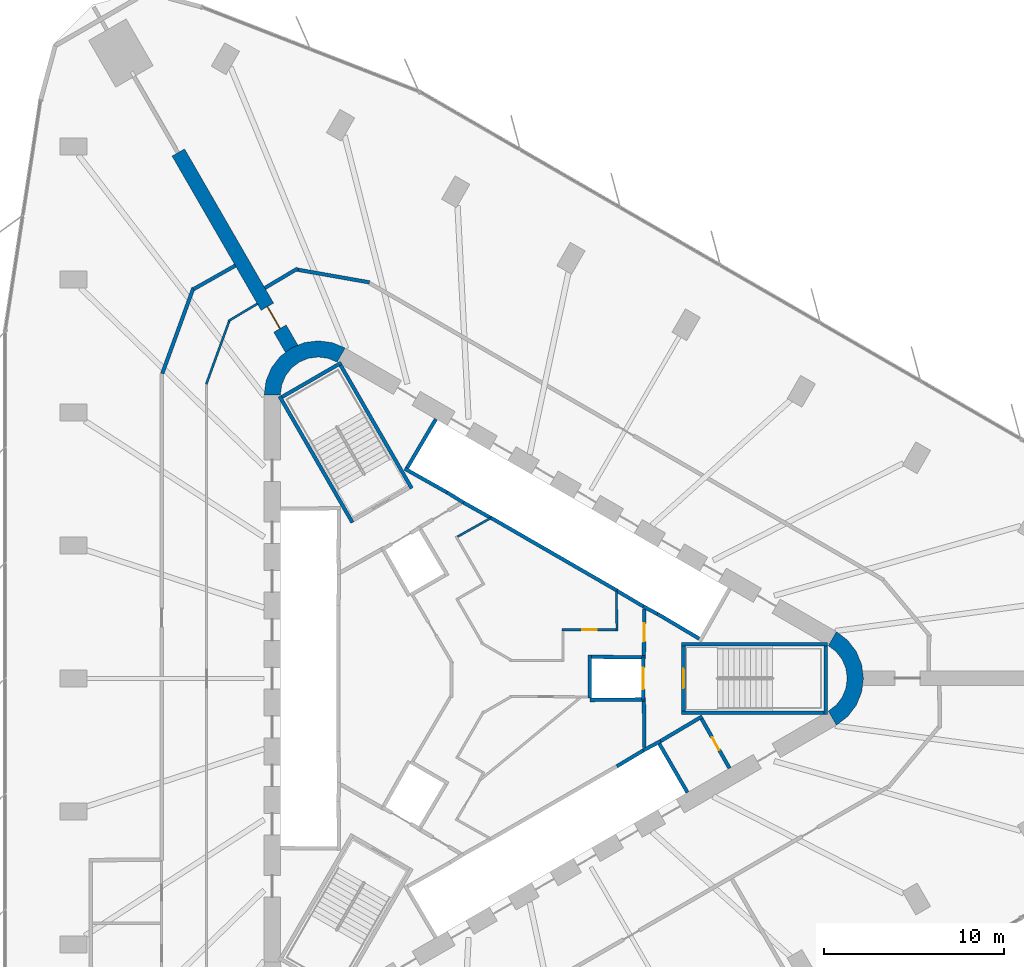
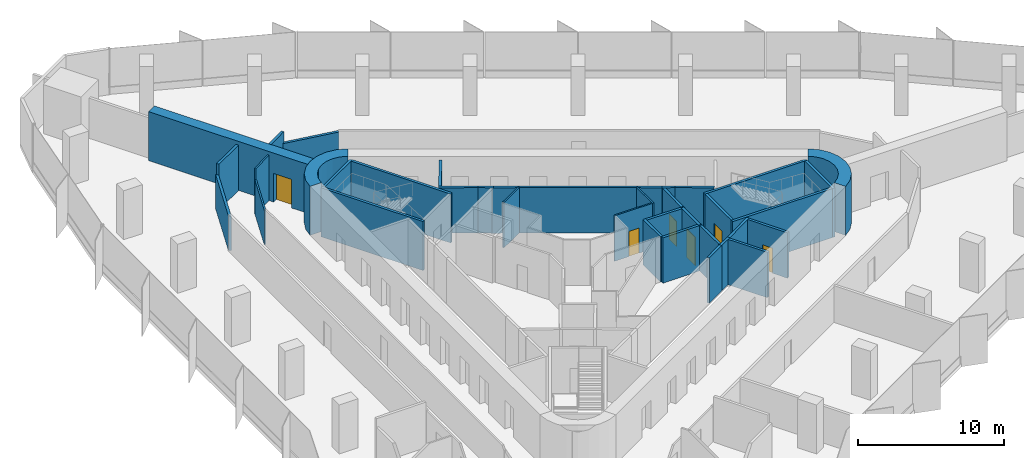
# One storey, part 12 of 15: 38 walls, 6 doors, 6 openings.
"""IFC4 building model written with IfcOpenShell, lengths in metres."""

from ifc_helpers import new_model, si_unit, direction, frame, frame_2d, origin, place, context, subcontext, project, spatial, polyline, rectangle, outline, extrude, material, layer, layer_set, type_object, element, fill, save


model = new_model("IFC4")

# Units and contexts
model_context = context("Model", 3, precision=1e-05, world=origin(), true_north=direction((0.0, 1.0)))
body_context = subcontext(model_context, "Body", "Model", "MODEL_VIEW")
ifc_project = project(units=[si_unit("LENGTHUNIT", "METRE"), si_unit("AREAUNIT", "SQUARE_METRE"), si_unit("VOLUMEUNIT", "CUBIC_METRE"), si_unit("PLANEANGLEUNIT", "RADIAN"), si_unit("MASSUNIT", "GRAM", prefix="KILO")], contexts=[model_context])

# Site, building, storey
site_placement = place(None, origin())
site = spatial("IfcSite", under=ifc_project, at=site_placement, CompositionType="ELEMENT")
building_placement = place(site_placement, origin())
building = spatial("IfcBuilding", under=site, at=building_placement, Name="Tanit Gate Tower", CompositionType="ELEMENT")
storey_placement = place(building_placement, frame((0.0, 0.0, 131.60009765625)))
storey = spatial("IfcBuildingStorey", under=building, at=storey_placement, Name="L28", CompositionType="ELEMENT", Elevation=131.60009765625)

# Wall, opening, door
ifc_material_1 = material(Name="Concrete C60/75", Category="concrete")
ifc_layer_1 = layer(ifc_material_1, 0.800048828125)
ifc_layer_set_1 = layer_set([ifc_layer_1], Name="BUTTRESS FIN 800 C60/75")
wall_type_1 = type_object("IfcWallType", Name="BUTTRESS FIN 800 C60/75", PredefinedType="SHEAR", material=ifc_layer_set_1)
wall_1_placement = place(storey_placement, frame((-10.574951171875, 18.31640625, 0.0), z_axis=(0.0, 0.0, 1.0), x_axis=(-0.500005394759, 0.866022289097, 0.0)))
wall_1 = element("IfcWall", 1, at=wall_1_placement, inside=storey, type_object=wall_type_1, Name="BUTTRESS FIN", PredefinedType="SHEAR", context=body_context, shape_type="SweptSolid", body=[
    extrude(rectangle(XDim=12.597900390625, YDim=0.800048828125, at=frame_2d((6.298828125, 0.0))), origin(), (0.0, 0.0, 1.0), 4.099853515625),
])
opening_1_placement = place(wall_1_placement, frame((1.300048828125, 0.0, 0.0)))
opening_1 = element("IfcOpeningElement", 2, at=opening_1_placement, cuts=wall_1, Name="Opening P14-S07-F-NW-1", PredefinedType="OPENING", context=body_context, shape_type="SweptSolid", body=[
    extrude(rectangle(XDim=1.39990234375, YDim=2.39990234375, at=frame_2d((0.699951171875, 1.199951171875))), frame((0.0, 0.41015625, 0.0), z_axis=(0.0, -1.0, 0.0), x_axis=(1.0, 0.0, 0.0)), (0.0, 0.0, 1.0), 0.820068359375),
])
ifc_material_2 = material(Name="Timber door leaf", Category="wood")
door_type_1 = type_object("IfcDoorType", Name="INT-DOOR-FIN-PAIR-1400", OperationType="NOTDEFINED", PredefinedType="NOTDEFINED", material=ifc_material_2)
door_1_placement = place(opening_1_placement, origin())
door_1 = element("IfcDoor", 3, at=door_1_placement, inside=storey, type_object=door_type_1, Name="Door P14-S07-F-NW-1", OperationType="DOUBLE_DOOR_SINGLE_SWING", OverallHeight=2.39990234375, OverallWidth=1.39990234375, PredefinedType="NOTDEFINED", context=body_context, shape_type="SweptSolid", body=[
    extrude(rectangle(XDim=1.39990234375, YDim=2.39990234375, at=frame_2d((0.699951171875, 1.199951171875))), frame((0.0, 0.02490234375, 0.0), z_axis=(0.0, -1.0, 0.0), x_axis=(1.0, 0.0, 0.0)), (0.0, 0.0, 1.0), 0.050048828125),
])
fill(opening_1, door_1)

# Walls
ifc_material_3 = material(Name="Concrete C60/75", Category="concrete")
ifc_layer_2 = layer(ifc_material_3, 0.89990234375)
ifc_layer_set_2 = layer_set([ifc_layer_2], Name="CORE WALL 900 C60/75")
wall_type_2 = type_object("IfcWallType", Name="CORE WALL 900 C60/75", PredefinedType="SHEAR", material=ifc_layer_set_2)
wall_2_placement = place(storey_placement, origin())
element("IfcWall", 4, at=wall_2_placement, inside=storey, type_object=wall_type_2, Name="CORE WALL CORNER", PredefinedType="SHEAR", context=body_context, shape_type="SweptSolid", body=[
    extrude(outline(polyline([(-7.60009765625, 18.359619140625), (-8.323486328125, 18.659423828125), (-9.10009765625, 18.76171875), (-9.87646484375, 18.659423828125), (-10.60009765625, 18.359619140625), (-11.22119140625, 17.883056640625), (-11.697998046875, 17.26171875), (-11.997802734375, 16.5380859375), (-12.10009765625, 15.76171875), (-11.199951171875, 15.76171875), (-11.12841796875, 16.30517578125), (-10.918701171875, 16.811767578125), (-10.5849609375, 17.24658203125), (-10.14990234375, 17.580322265625), (-9.6435546875, 17.7900390625), (-9.10009765625, 17.86181640625), (-8.556396484375, 17.7900390625), (-8.050048828125, 17.580322265625), (-7.60009765625, 18.359619140625)])), origin(), (0.0, 0.0, 1.0), 4.099853515625),
])
wall_3_placement = place(storey_placement, origin())
element("IfcWall", 5, at=wall_3_placement, inside=storey, type_object=wall_type_2, Name="CORE WALL CORNER", PredefinedType="SHEAR", context=body_context, shape_type="SweptSolid", body=[
    extrude(outline(polyline([(19.699951171875, -2.59814453125), (20.3212890625, -2.121337890625), (20.798095703125, -1.5), (21.097900390625, -0.776611328125), (21.199951171875, 0.0), (21.097900390625, 0.776611328125), (20.798095703125, 1.5), (20.3212890625, 2.121337890625), (19.699951171875, 2.59814453125), (19.25, 1.818603515625), (19.684814453125, 1.48486328125), (20.018798828125, 1.050048828125), (20.228515625, 0.54345703125), (20.300048828125, 0.0), (20.228515625, -0.54345703125), (20.018798828125, -1.050048828125), (19.684814453125, -1.48486328125), (19.25, -1.818603515625), (19.699951171875, -2.59814453125)])), origin(), (0.0, 0.0, 1.0), 4.099853515625),
])
ifc_material_4 = material(Name="Fire-rated gypsum board partition")
ifc_layer_3 = layer(ifc_material_4, 0.199951171875)
ifc_layer_set_3 = layer_set([ifc_layer_3], Name="INT-WALL-COMPARTMENT")
wall_type_3 = type_object("IfcWallType", Name="INT-WALL-COMPARTMENT", PredefinedType="PARTITIONING", material=ifc_layer_set_3)
wall_4_placement = place(storey_placement, frame((12.244873046875, -2.10888671875, 0.0), z_axis=(0.0, 0.0, 1.0), x_axis=(-0.860414880418, -0.509594185166, 0.0)))
element("IfcWall", 6, at=wall_4_placement, inside=storey, type_object=wall_type_3, Name="Wall Compartment W057", PredefinedType="PARTITIONING", context=body_context, shape_type="SweptSolid", body=[
    extrude(rectangle(XDim=2.7001953125, YDim=0.199951171875, at=frame_2d((1.35009765625, 0.0))), origin(), (0.0, 0.0, 1.0), 3.7998046875),
])

# Wall, opening, door
wall_5_placement = place(storey_placement, frame((13.758056640625, -4.989501953125, 0.0), z_axis=(0.0, 0.0, 1.0), x_axis=(-0.491993409184, 0.87059892334, 0.0)))
wall_5 = element("IfcWall", 7, at=wall_5_placement, inside=storey, type_object=wall_type_3, Name="Wall Compartment W058", PredefinedType="PARTITIONING", context=body_context, shape_type="SweptSolid", body=[
    extrude(rectangle(XDim=3.150146484375, YDim=0.199951171875, at=frame_2d((1.5751953125, 0.0))), origin(), (0.0, 0.0, 1.0), 3.7998046875),
])
opening_2_placement = place(wall_5_placement, frame((1.175048828125, 0.0, 0.0)))
opening_2 = element("IfcOpeningElement", 8, at=opening_2_placement, cuts=wall_5, Name="Opening R08-S07-14", PredefinedType="OPENING", context=body_context, shape_type="SweptSolid", body=[
    extrude(rectangle(XDim=0.800048828125, YDim=2.10009765625, at=frame_2d((0.39990234375, 1.050048828125))), frame((0.0, 0.10986328125, 0.0), z_axis=(0.0, -1.0, 0.0), x_axis=(1.0, 0.0, 0.0)), (0.0, 0.0, 1.0), 0.219970703125),
])
ifc_material_5 = material(Name="Timber door leaf", Category="wood")
door_type_2 = type_object("IfcDoorType", Name="INT-DOOR-RISER-800", OperationType="NOTDEFINED", PredefinedType="USERDEFINED", material=ifc_material_5)
door_2_placement = place(opening_2_placement, origin())
door_2 = element("IfcDoor", 9, at=door_2_placement, inside=storey, type_object=door_type_2, Name="Door R08-S07-14", ObjectType="FIRE DOOR", OperationType="SINGLE_SWING_LEFT", OverallHeight=2.10009765625, OverallWidth=0.800048828125, PredefinedType="USERDEFINED", context=body_context, shape_type="SweptSolid", body=[
    extrude(rectangle(XDim=0.800048828125, YDim=2.10009765625, at=frame_2d((0.39990234375, 1.050048828125))), frame((0.0, 0.02490234375, 0.0), z_axis=(0.0, -1.0, 0.0), x_axis=(1.0, 0.0, 0.0)), (0.0, 0.0, 1.0), 0.050048828125),
])
fill(opening_2, door_2)

# Wall
wall_6_placement = place(storey_placement, frame((9.02880859375, -3.8505859375, 0.0), z_axis=(0.0, 0.0, 1.0), x_axis=(-0.010784614026, 0.999941844359, 0.0)))
element("IfcWall", 10, at=wall_6_placement, inside=storey, type_object=wall_type_3, Name="Wall Compartment W059", PredefinedType="PARTITIONING", context=body_context, shape_type="SweptSolid", body=[
    extrude(rectangle(XDim=2.580810546875, YDim=0.199951171875, at=frame_2d((1.29052734375, 0.0))), origin(), (0.0, 0.0, 1.0), 3.7998046875),
])

# Wall, opening, door
wall_7_placement = place(storey_placement, frame((9.0009765625, 1.27001953125, 0.0), z_axis=(0.0, 0.0, 1.0), x_axis=(0.010783593937, 0.99994185536, 0.0)))
wall_7 = element("IfcWall", 11, at=wall_7_placement, inside=storey, type_object=wall_type_3, Name="Wall Compartment W060", PredefinedType="PARTITIONING", context=body_context, shape_type="SweptSolid", body=[
    extrude(rectangle(XDim=2.5810546875, YDim=0.199951171875, at=frame_2d((1.29052734375, 0.0))), origin(), (0.0, 0.0, 1.0), 3.7998046875),
])
opening_3_placement = place(wall_7_placement, frame((0.79052734375, 0.0, 0.0)))
opening_3 = element("IfcOpeningElement", 12, at=opening_3_placement, cuts=wall_7, Name="Opening F10-S07-02", PredefinedType="OPENING", context=body_context, shape_type="SweptSolid", body=[
    extrude(rectangle(XDim=1.0, YDim=2.10009765625, at=frame_2d((0.5, 1.050048828125))), frame((0.0, 0.10986328125, 0.0), z_axis=(0.0, -1.0, 0.0), x_axis=(1.0, 0.0, 0.0)), (0.0, 0.0, 1.0), 0.219970703125),
])
ifc_material_6 = material(Name="Fire-rated steel door leaf", Category="steel")
door_type_3 = type_object("IfcDoorType", Name="INT-DOOR-FIRE-1000", OperationType="NOTDEFINED", PredefinedType="USERDEFINED", material=ifc_material_6)
door_3_placement = place(opening_3_placement, origin())
door_3 = element("IfcDoor", 13, at=door_3_placement, inside=storey, type_object=door_type_3, Name="Door F10-S07-02", ObjectType="FIRE DOOR", OperationType="SINGLE_SWING_LEFT", OverallHeight=2.10009765625, OverallWidth=1.0, PredefinedType="USERDEFINED", context=body_context, shape_type="SweptSolid", body=[
    extrude(rectangle(XDim=1.0, YDim=2.10009765625, at=frame_2d((0.5, 1.050048828125))), frame((0.0, 0.02490234375, 0.0), z_axis=(0.0, -1.0, 0.0), x_axis=(1.0, 0.0, 0.0)), (0.0, 0.0, 1.0), 0.050048828125),
])
fill(opening_3, door_3)

# Walls
wall_8_placement = place(storey_placement, frame((-16.02685546875, 21.717529296875, 0.0), z_axis=(0.0, 0.0, 1.0), x_axis=(-0.342039923135, -0.939685421288, 0.0)))
element("IfcWall", 14, at=wall_8_placement, inside=storey, type_object=wall_type_3, Name="Wall Compartment W092", PredefinedType="PARTITIONING", context=body_context, shape_type="SweptSolid", body=[
    extrude(rectangle(XDim=5.084228515625, YDim=0.199951171875, at=frame_2d((2.5419921875, 0.0))), origin(), (0.0, 0.0, 1.0), 2.8798828125),
])
wall_9_placement = place(storey_placement, frame((-13.70654296875, 22.940185546875, 0.0), z_axis=(0.0, 0.0, 1.0), x_axis=(-0.870827475384, -0.491588759143, 0.0)))
element("IfcWall", 15, at=wall_9_placement, inside=storey, type_object=wall_type_3, Name="Wall Compartment W093", PredefinedType="PARTITIONING", context=body_context, shape_type="SweptSolid", body=[
    extrude(rectangle(XDim=2.661865234375, YDim=0.199951171875, at=frame_2d((1.3310546875, 0.0))), origin(), (0.0, 0.0, 1.0), 3.7998046875),
])
wall_10_placement = place(storey_placement, frame((-10.228271484375, 22.786376953125, 0.0), z_axis=(0.0, 0.0, 1.0), x_axis=(-0.859754348804, -0.510707802674, 0.0)))
element("IfcWall", 16, at=wall_10_placement, inside=storey, type_object=wall_type_3, Name="Wall Compartment W100", PredefinedType="PARTITIONING", context=body_context, shape_type="SweptSolid", body=[
    extrude(rectangle(XDim=2.135498046875, YDim=0.199951171875, at=frame_2d((1.06787109375, 0.0))), origin(), (0.0, 0.0, 1.0), 3.7998046875),
])
wall_11_placement = place(storey_placement, frame((-6.25048828125, 22.008056640625, 0.0), z_axis=(0.0, 0.0, 1.0), x_axis=(-0.984810577443, 0.173632158762, 0.0)))
element("IfcWall", 17, at=wall_11_placement, inside=storey, type_object=wall_type_3, Name="Wall Compartment W101", PredefinedType="PARTITIONING", context=body_context, shape_type="SweptSolid", body=[
    extrude(rectangle(XDim=4.091796875, YDim=0.199951171875, at=frame_2d((2.0458984375, 0.0))), origin(), (0.0, 0.0, 1.0), 2.8798828125),
])
ifc_material_7 = material(Name="Gypsum board partition")
ifc_layer_4 = layer(ifc_material_7, 0.1201171875)
ifc_layer_set_4 = layer_set([ifc_layer_4], Name="INT-WALL-PARTITION")
wall_type_4 = type_object("IfcWallType", Name="INT-WALL-PARTITION", PredefinedType="PARTITIONING", material=ifc_layer_set_4)
wall_12_placement = place(storey_placement, frame((7.500732421875, 2.639892578125, 0.0), z_axis=(0.0, 0.0, 1.0), x_axis=(-0.01174194727, 0.999931060961, 0.0)))
element("IfcWall", 18, at=wall_12_placement, inside=storey, type_object=wall_type_4, Name="Wall Partition W077", PredefinedType="PARTITIONING", context=body_context, shape_type="SweptSolid", body=[
    extrude(rectangle(XDim=2.224853515625, YDim=0.1201171875, at=frame_2d((1.1123046875, 0.0))), origin(), (0.0, 0.0, 1.0), 3.7998046875),
])

# Wall, opening, door
wall_13_placement = place(storey_placement, frame((4.43994140625, 2.699951171875, 0.0), z_axis=(0.0, 0.0, 1.0), x_axis=(1.0, 0.0, 0.0)))
wall_13 = element("IfcWall", 19, at=wall_13_placement, inside=storey, type_object=wall_type_4, Name="Wall Partition W078", PredefinedType="PARTITIONING", context=body_context, shape_type="SweptSolid", body=[
    extrude(rectangle(XDim=3.0, YDim=0.1201171875, at=frame_2d((1.5, 0.0))), origin(), (0.0, 0.0, 1.0), 3.7998046875),
])
opening_4_placement = place(wall_13_placement, frame((1.1298828125, 0.0, 0.0)))
opening_4 = element("IfcOpeningElement", 20, at=opening_4_placement, cuts=wall_13, Name="Opening R08-S07-13", PredefinedType="OPENING", context=body_context, shape_type="SweptSolid", body=[
    extrude(rectangle(XDim=0.800048828125, YDim=2.10009765625, at=frame_2d((0.39990234375, 1.050048828125))), frame((0.0, 0.070068359375, 0.0), z_axis=(0.0, -1.0, 0.0), x_axis=(1.0, 0.0, 0.0)), (0.0, 0.0, 1.0), 0.14013671875),
])
door_4_placement = place(opening_4_placement, origin())
door_4 = element("IfcDoor", 21, at=door_4_placement, inside=storey, type_object=door_type_2, Name="Door R08-S07-13", ObjectType="FIRE DOOR", OperationType="SINGLE_SWING_RIGHT", OverallHeight=2.10009765625, OverallWidth=0.800048828125, PredefinedType="USERDEFINED", context=body_context, shape_type="SweptSolid", body=[
    extrude(rectangle(XDim=0.800048828125, YDim=2.10009765625, at=frame_2d((0.39990234375, 1.050048828125))), frame((0.0, 0.02490234375, 0.0), z_axis=(0.0, -1.0, 0.0), x_axis=(1.0, 0.0, 0.0)), (0.0, 0.0, 1.0), 0.050048828125),
])
fill(opening_4, door_4)

# Walls
wall_14_placement = place(storey_placement, frame((0.475341796875, 8.9052734375, 0.0), z_axis=(0.0, 0.0, 1.0), x_axis=(-0.871832572129, -0.489804007921, 0.0)))
element("IfcWall", 22, at=wall_14_placement, inside=storey, type_object=wall_type_4, Name="Wall Partition W085", PredefinedType="PARTITIONING", context=body_context, shape_type="SweptSolid", body=[
    extrude(rectangle(XDim=2.1044921875, YDim=0.1201171875, at=frame_2d((1.05224609375, 0.0))), origin(), (0.0, 0.0, 1.0), 3.7998046875),
])
wall_15_placement = place(storey_placement, frame((-12.481689453125, 20.819091796875, 0.0), z_axis=(0.0, 0.0, 1.0), x_axis=(-0.85913200524, -0.511754040113, 0.0)))
element("IfcWall", 23, at=wall_15_placement, inside=storey, type_object=wall_type_4, Name="Wall Partition W086", PredefinedType="PARTITIONING", context=body_context, shape_type="SweptSolid", body=[
    extrude(rectangle(XDim=1.87451171875, YDim=0.1201171875, at=frame_2d((0.937255859375, 0.0))), origin(), (0.0, 0.0, 1.0), 3.7998046875),
])
wall_16_placement = place(storey_placement, frame((-14.038330078125, 19.87158203125, 0.0), z_axis=(0.0, 0.0, 1.0), x_axis=(-0.342035870777, -0.939686896313, 0.0)))
element("IfcWall", 24, at=wall_16_placement, inside=storey, type_object=wall_type_4, Name="Wall Partition W087", PredefinedType="PARTITIONING", context=body_context, shape_type="SweptSolid", body=[
    extrude(rectangle(XDim=3.748779296875, YDim=0.1201171875, at=frame_2d((1.87451171875, 0.0))), origin(), (0.0, 0.0, 1.0), 2.8798828125),
])
ifc_material_8 = material(Name="Gypsum shaft wall system")
ifc_layer_5 = layer(ifc_material_8, 0.199951171875)
ifc_layer_set_5 = layer_set([ifc_layer_5], Name="INT-WALL-SHAFT")
wall_type_5 = type_object("IfcWallType", Name="INT-WALL-SHAFT", PredefinedType="PLUMBINGWALL", material=ifc_layer_set_5)
wall_17_placement = place(storey_placement, frame((7.497314453125, 4.885986328125, 0.0), z_axis=(0.0, 0.0, 1.0), x_axis=(-0.866030989016, 0.499990325971, 0.0)))
element("IfcWall", 25, at=wall_17_placement, inside=storey, type_object=wall_type_5, Name="Wall Shaft W003", PredefinedType="PLUMBINGWALL", context=body_context, shape_type="SweptSolid", body=[
    extrude(rectangle(XDim=8.099853515625, YDim=0.199951171875, at=frame_2d((4.0498046875, 0.0))), origin(), (0.0, 0.0, 1.0), 3.7998046875),
])
wall_18_placement = place(storey_placement, frame((12.072998046875, 2.2109375, 0.0), z_axis=(0.0, 0.0, 1.0), x_axis=(-0.860438357912, 0.509554542943, 0.0)))
element("IfcWall", 26, at=wall_18_placement, inside=storey, type_object=wall_type_5, Name="Wall Shaft W014", PredefinedType="PLUMBINGWALL", context=body_context, shape_type="SweptSolid", body=[
    extrude(rectangle(XDim=2.700439453125, YDim=0.199951171875, at=frame_2d((1.35009765625, 0.0))), origin(), (0.0, 0.0, 1.0), 3.7998046875),
])
wall_19_placement = place(storey_placement, frame((9.74755859375, 3.583251953125, 0.0), z_axis=(0.0, 0.0, 1.0), x_axis=(-0.880917147855, 0.473270513147, 0.0)))
element("IfcWall", 27, at=wall_19_placement, inside=storey, type_object=wall_type_5, Name="Wall Shaft W015", PredefinedType="PLUMBINGWALL", context=body_context, shape_type="SweptSolid", body=[
    extrude(rectangle(XDim=0.8779296875, YDim=0.199951171875, at=frame_2d((0.43896484375, 0.0))), origin(), (0.0, 0.0, 1.0), 3.7998046875),
])
wall_20_placement = place(storey_placement, frame((9.07958984375, 3.93701171875, 0.0), z_axis=(0.0, 0.0, 1.0), x_axis=(-0.859981807212, 0.510324691999, 0.0)))
element("IfcWall", 28, at=wall_20_placement, inside=storey, type_object=wall_type_5, Name="Wall Shaft W016", PredefinedType="PLUMBINGWALL", context=body_context, shape_type="SweptSolid", body=[
    extrude(rectangle(XDim=1.8447265625, YDim=0.199951171875, at=frame_2d((0.92236328125, 0.0))), origin(), (0.0, 0.0, 1.0), 3.7998046875),
])
wall_21_placement = place(storey_placement, frame((-1.940673828125, 10.338623046875, 0.0), z_axis=(0.0, 0.0, 1.0), x_axis=(0.850216889117, -0.526432561171, 0.0)))
element("IfcWall", 29, at=wall_21_placement, inside=storey, type_object=wall_type_5, Name="Wall Shaft W019", PredefinedType="PLUMBINGWALL", context=body_context, shape_type="SweptSolid", body=[
    extrude(rectangle(XDim=1.078369140625, YDim=0.199951171875, at=frame_2d((0.5390625, 0.0))), origin(), (0.0, 0.0, 1.0), 3.7998046875),
])
wall_22_placement = place(storey_placement, frame((0.478271484375, 8.928466796875, 0.0), z_axis=(0.0, 0.0, 1.0), x_axis=(-0.871988740738, 0.489525929882, 0.0)))
element("IfcWall", 30, at=wall_22_placement, inside=storey, type_object=wall_type_5, Name="Wall Shaft W020", PredefinedType="PLUMBINGWALL", context=body_context, shape_type="SweptSolid", body=[
    extrude(rectangle(XDim=1.8447265625, YDim=0.199951171875, at=frame_2d((0.92236328125, 0.0))), origin(), (0.0, 0.0, 1.0), 3.7998046875),
])
wall_23_placement = place(storey_placement, frame((-4.296142578125, 11.658935546875, 0.0), z_axis=(0.0, 0.0, 1.0), x_axis=(0.871534483978, -0.490334215854, 0.0)))
element("IfcWall", 31, at=wall_23_placement, inside=storey, type_object=wall_type_5, Name="Wall Shaft W021", PredefinedType="PLUMBINGWALL", context=body_context, shape_type="SweptSolid", body=[
    extrude(rectangle(XDim=2.7001953125, YDim=0.199951171875, at=frame_2d((1.35009765625, 0.0))), origin(), (0.0, 0.0, 1.0), 3.7998046875),
])
wall_24_placement = place(storey_placement, frame((-4.158203125, 11.696044921875, 0.0), z_axis=(0.0, 0.0, 1.0), x_axis=(0.508018930956, 0.861345903683, 0.0)))
element("IfcWall", 32, at=wall_24_placement, inside=storey, type_object=wall_type_5, Name="Wall Shaft W022", PredefinedType="PLUMBINGWALL", context=body_context, shape_type="SweptSolid", body=[
    extrude(rectangle(XDim=3.150146484375, YDim=0.199951171875, at=frame_2d((1.5751953125, 0.0))), origin(), (0.0, 0.0, 1.0), 3.7998046875),
])
wall_25_placement = place(storey_placement, frame((9.794677734375, -3.52490234375, 0.0), z_axis=(0.0, 0.0, 1.0), x_axis=(0.499984717929, -0.866034226713, 0.0)))
element("IfcWall", 33, at=wall_25_placement, inside=storey, type_object=wall_type_5, Name="Wall Shaft W024", PredefinedType="PLUMBINGWALL", context=body_context, shape_type="SweptSolid", body=[
    extrude(rectangle(XDim=3.25, YDim=0.199951171875, at=frame_2d((1.625, 0.0))), origin(), (0.0, 0.0, 1.0), 3.7998046875),
])
wall_26_placement = place(storey_placement, frame((8.97412109375, -3.998779296875, 0.0), z_axis=(0.0, 0.0, 1.0), x_axis=(0.880907015104, 0.473289373154, 0.0)))
element("IfcWall", 34, at=wall_26_placement, inside=storey, type_object=wall_type_5, Name="Wall Shaft W025", PredefinedType="PLUMBINGWALL", context=body_context, shape_type="SweptSolid", body=[
    extrude(rectangle(XDim=1.078125, YDim=0.199951171875, at=frame_2d((0.5390625, 0.0))), origin(), (0.0, 0.0, 1.0), 3.7998046875),
])
wall_27_placement = place(storey_placement, frame((7.497314453125, -4.885986328125, 0.0), z_axis=(0.0, 0.0, 1.0), x_axis=(0.857516281273, 0.51445682749, 0.0)))
element("IfcWall", 35, at=wall_27_placement, inside=storey, type_object=wall_type_5, Name="Wall Shaft W026", PredefinedType="PLUMBINGWALL", context=body_context, shape_type="SweptSolid", body=[
    extrude(rectangle(XDim=1.8447265625, YDim=0.199951171875, at=frame_2d((0.92236328125, 0.0))), origin(), (0.0, 0.0, 1.0), 3.7998046875),
])

# Wall, opening, door
wall_28_placement = place(storey_placement, frame((8.969970703125, 1.199951171875, 0.0), z_axis=(0.0, 0.0, 1.0), x_axis=(0.0, -1.0, 0.0)))
wall_28 = element("IfcWall", 36, at=wall_28_placement, inside=storey, type_object=wall_type_5, Name="Wall Shaft W037", PredefinedType="PLUMBINGWALL", context=body_context, shape_type="SweptSolid", body=[
    extrude(rectangle(XDim=2.39990234375, YDim=0.199951171875, at=frame_2d((1.199951171875, 0.0))), origin(), (0.0, 0.0, 1.0), 3.7998046875),
])
opening_5_placement = place(wall_28_placement, frame((0.60009765625, 0.0, 0.0)))
opening_5 = element("IfcOpeningElement", 37, at=opening_5_placement, cuts=wall_28, Name="Opening LDFL1-L28", PredefinedType="OPENING", context=body_context, shape_type="SweptSolid", body=[
    extrude(rectangle(XDim=1.199951171875, YDim=2.39990234375, at=frame_2d((0.60009765625, 1.199951171875))), frame((0.0, 0.10986328125, 0.0), z_axis=(0.0, -1.0, 0.0), x_axis=(1.0, 0.0, 0.0)), (0.0, 0.0, 1.0), 0.219970703125),
])
ifc_material_9 = material(Name="Stainless steel sliding door leaf", Category="steel")
door_type_4 = type_object("IfcDoorType", Name="INT-DOOR-LANDING-1200", OperationType="NOTDEFINED", PredefinedType="USERDEFINED", material=ifc_material_9)
door_5_placement = place(opening_5_placement, origin())
door_5 = element("IfcDoor", 38, at=door_5_placement, inside=storey, type_object=door_type_4, Name="Door LDFL1-L28", ObjectType="LANDING DOOR", OperationType="SLIDING_TO_LEFT", OverallHeight=2.39990234375, OverallWidth=1.199951171875, PredefinedType="USERDEFINED", context=body_context, shape_type="SweptSolid", body=[
    extrude(rectangle(XDim=1.199951171875, YDim=2.39990234375, at=frame_2d((0.60009765625, 1.199951171875))), frame((0.0, 0.02490234375, 0.0), z_axis=(0.0, -1.0, 0.0), x_axis=(1.0, 0.0, 0.0)), (0.0, 0.0, 1.0), 0.050048828125),
])
fill(opening_5, door_5)

# Walls
wall_29_placement = place(storey_placement, frame((9.10009765625, -1.1689453125, 0.0), z_axis=(0.0, 0.0, 1.0), x_axis=(-0.999949988, -0.010001074852, 0.0)))
element("IfcWall", 39, at=wall_29_placement, inside=storey, type_object=wall_type_5, Name="Wall Shaft W038", PredefinedType="PLUMBINGWALL", context=body_context, shape_type="SweptSolid", body=[
    extrude(rectangle(XDim=3.100341796875, YDim=0.199951171875, at=frame_2d((1.55029296875, 0.0))), origin(), (0.0, 0.0, 1.0), 3.7998046875),
])
wall_30_placement = place(storey_placement, frame((6.0, -1.089599609375, 0.0), z_axis=(0.0, 0.0, 1.0), x_axis=(0.0, 1.0, 0.0)))
element("IfcWall", 40, at=wall_30_placement, inside=storey, type_object=wall_type_5, Name="Wall Shaft W039", PredefinedType="PLUMBINGWALL", context=body_context, shape_type="SweptSolid", body=[
    extrude(rectangle(XDim=2.3896484375, YDim=0.199951171875, at=frame_2d((1.19482421875, 0.0))), origin(), (0.0, 0.0, 1.0), 3.7998046875),
])
wall_31_placement = place(storey_placement, frame((9.10009765625, 1.1689453125, 0.0), z_axis=(0.0, 0.0, 1.0), x_axis=(-0.99994990606, 0.010009264196, 0.0)))
element("IfcWall", 41, at=wall_31_placement, inside=storey, type_object=wall_type_5, Name="Wall Shaft W040", PredefinedType="PLUMBINGWALL", context=body_context, shape_type="SweptSolid", body=[
    extrude(rectangle(XDim=3.000244140625, YDim=0.199951171875, at=frame_2d((1.5, 0.0))), origin(), (0.0, 0.0, 1.0), 3.7998046875),
])
ifc_material_10 = material(Name="Concrete C40/50", Category="concrete")
ifc_layer_6 = layer(ifc_material_10, 0.199951171875)
ifc_layer_set_6 = layer_set([ifc_layer_6], Name="INT-WALL-STAIR")
wall_type_6 = type_object("IfcWallType", Name="INT-WALL-STAIR", PredefinedType="SHEAR", material=ifc_layer_set_6)
wall_32_placement = place(storey_placement, frame((19.199951171875, 1.89990234375, -0.300048828125), z_axis=(0.0, 0.0, 1.0), x_axis=(-1.0, 0.0, 0.0)))
element("IfcWall", 42, at=wall_32_placement, inside=storey, type_object=wall_type_6, Name="Wall Stair W033", PredefinedType="SHEAR", context=body_context, shape_type="SweptSolid", body=[
    extrude(rectangle(XDim=8.099853515625, YDim=0.199951171875, at=frame_2d((4.0498046875, 0.0))), origin(), (0.0, 0.0, 1.0), 4.099853515625),
])
wall_33_placement = place(storey_placement, frame((19.10009765625, -2.0, -0.300048828125), z_axis=(0.0, 0.0, 1.0), x_axis=(0.0, 1.0, 0.0)))
element("IfcWall", 43, at=wall_33_placement, inside=storey, type_object=wall_type_6, Name="Wall Stair W034", PredefinedType="SHEAR", context=body_context, shape_type="SweptSolid", body=[
    extrude(rectangle(XDim=3.800048828125, YDim=0.199951171875, at=frame_2d((1.89990234375, 0.0))), origin(), (0.0, 0.0, 1.0), 4.099853515625),
])
wall_34_placement = place(storey_placement, frame((11.10009765625, -1.89990234375, -0.300048828125), z_axis=(0.0, 0.0, 1.0), x_axis=(1.0, 0.0, 0.0)))
element("IfcWall", 44, at=wall_34_placement, inside=storey, type_object=wall_type_6, Name="Wall Stair W035", PredefinedType="SHEAR", context=body_context, shape_type="SweptSolid", body=[
    extrude(rectangle(XDim=7.89990234375, YDim=0.199951171875, at=frame_2d((3.949951171875, 0.0))), origin(), (0.0, 0.0, 1.0), 4.099853515625),
])

# Wall, opening, door
wall_35_placement = place(storey_placement, frame((11.199951171875, -1.800048828125, -0.300048828125), z_axis=(0.0, 0.0, 1.0), x_axis=(0.0, 1.0, 0.0)))
wall_35 = element("IfcWall", 45, at=wall_35_placement, inside=storey, type_object=wall_type_6, Name="Wall Stair W036", PredefinedType="SHEAR", context=body_context, shape_type="SweptSolid", body=[
    extrude(rectangle(XDim=3.60009765625, YDim=0.199951171875, at=frame_2d((1.800048828125, 0.0))), origin(), (0.0, 0.0, 1.0), 4.099853515625),
])
opening_6_placement = place(wall_35_placement, frame((1.25, 0.0, 0.300048828125)))
opening_6 = element("IfcOpeningElement", 46, at=opening_6_placement, cuts=wall_35, Name="Opening S11-S07-01", PredefinedType="OPENING", context=body_context, shape_type="SweptSolid", body=[
    extrude(rectangle(XDim=1.10009765625, YDim=2.10009765625, at=frame_2d((0.550048828125, 1.050048828125))), frame((0.0, 0.10986328125, 0.0), z_axis=(0.0, -1.0, 0.0), x_axis=(1.0, 0.0, 0.0)), (0.0, 0.0, 1.0), 0.219970703125),
])
ifc_material_11 = material(Name="Timber door leaf", Category="wood")
door_type_5 = type_object("IfcDoorType", Name="INT-DOOR-STAIR-1100", OperationType="NOTDEFINED", PredefinedType="USERDEFINED", material=ifc_material_11)
door_6_placement = place(opening_6_placement, origin())
door_6 = element("IfcDoor", 47, at=door_6_placement, inside=storey, type_object=door_type_5, Name="Door S11-S07-01", ObjectType="FIRE DOOR", OperationType="SINGLE_SWING_LEFT", OverallHeight=2.10009765625, OverallWidth=1.10009765625, PredefinedType="USERDEFINED", context=body_context, shape_type="SweptSolid", body=[
    extrude(rectangle(XDim=1.10009765625, YDim=2.10009765625, at=frame_2d((0.550048828125, 1.050048828125))), frame((0.0, 0.02490234375, 0.0), z_axis=(0.0, -1.0, 0.0), x_axis=(1.0, 0.0, 0.0)), (0.0, 0.0, 1.0), 0.050048828125),
])
fill(opening_6, door_6)

# Walls
wall_36_placement = place(storey_placement, frame((-11.245361328125, 15.677734375, -0.300048828125), z_axis=(0.0, 0.0, 1.0), x_axis=(0.499977274689, -0.866038523851, 0.0)))
element("IfcWall", 48, at=wall_36_placement, inside=storey, type_object=wall_type_6, Name="Wall Stair W041", PredefinedType="SHEAR", context=body_context, shape_type="SweptSolid", body=[
    extrude(rectangle(XDim=8.10009765625, YDim=0.199951171875, at=frame_2d((4.050048828125, 0.0))), origin(), (0.0, 0.0, 1.0), 4.099853515625),
])
wall_37_placement = place(storey_placement, frame((-7.81787109375, 17.541015625, -0.300048828125), z_axis=(0.0, 0.0, 1.0), x_axis=(-0.866044365799, -0.499967155389, 0.0)))
element("IfcWall", 49, at=wall_37_placement, inside=storey, type_object=wall_type_6, Name="Wall Stair W042", PredefinedType="SHEAR", context=body_context, shape_type="SweptSolid", body=[
    extrude(rectangle(XDim=3.800048828125, YDim=0.199951171875, at=frame_2d((1.89990234375, 0.0))), origin(), (0.0, 0.0, 1.0), 4.099853515625),
])
wall_38_placement = place(storey_placement, frame((-7.8544921875, 17.404541015625, -0.300048828125), z_axis=(0.0, 0.0, 1.0), x_axis=(0.499997992926, -0.866026562566, 0.0)))
element("IfcWall", 50, at=wall_38_placement, inside=storey, type_object=wall_type_6, Name="Wall Stair W043", PredefinedType="SHEAR", context=body_context, shape_type="SweptSolid", body=[
    extrude(rectangle(XDim=7.89990234375, YDim=0.199951171875, at=frame_2d((3.949951171875, 0.0))), origin(), (0.0, 0.0, 1.0), 4.099853515625),
])

save(model, "model.ifc")
